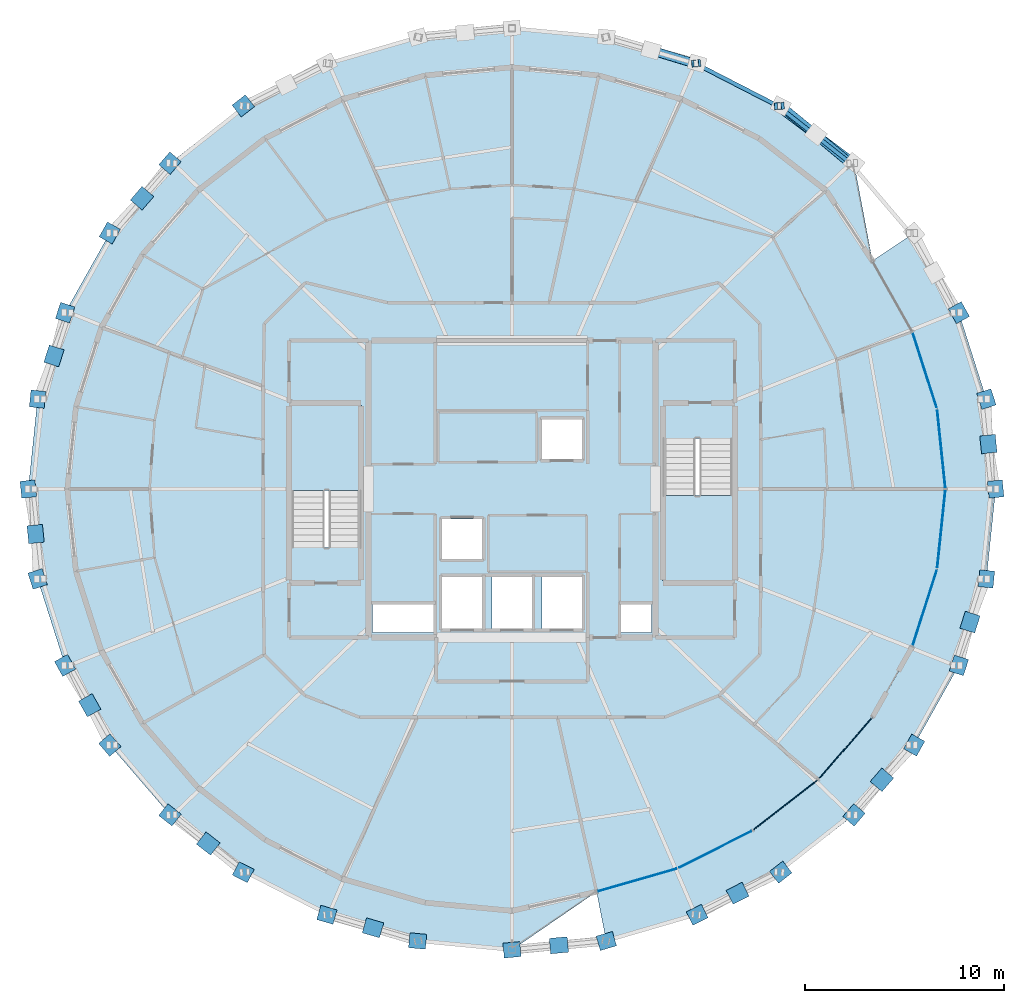
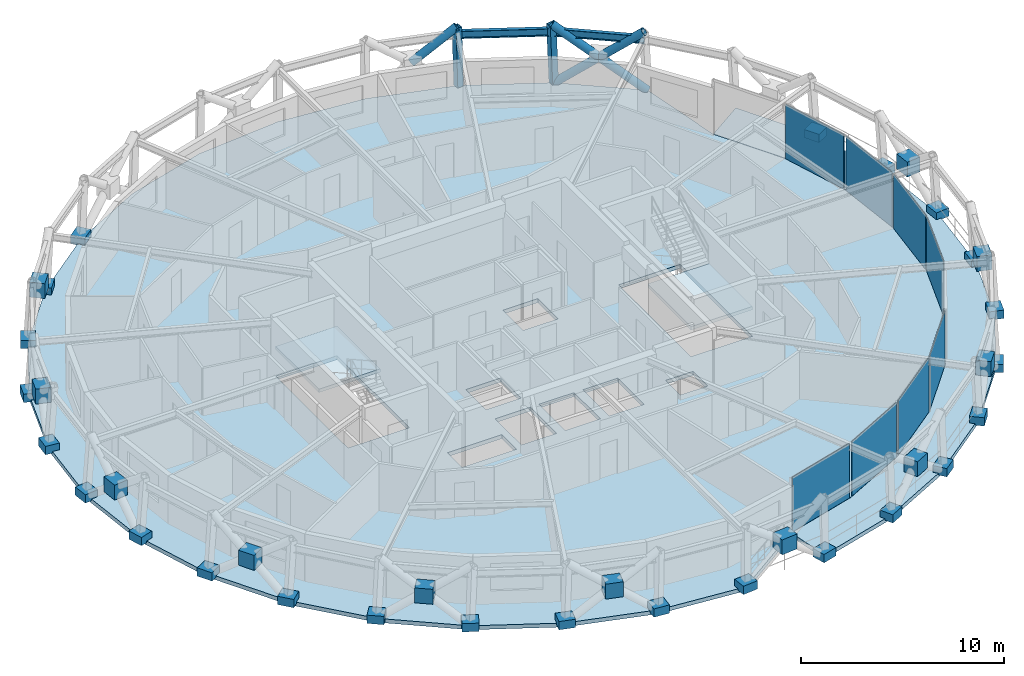
# One storey, part 11 of 18: 43 plates, 6 members, 4 slabs, 2 beams, 4 elements without a shape of their own.
"""IFC4 building model written with IfcOpenShell, lengths in metres."""

import ifcopenshell
import ifcopenshell.guid

model = None  # the IFC model being written
_history = None  # IfcOwnerHistory: only IFC2X3 demands one
_inside = {}  # id of a spatial element -> (the spatial element, [elements in it])
_under = {}  # id of a project, library or spatial element -> (it, [spatial elements below it])
_declared = {}  # id of a project -> (the project, [libraries it declares])
_typed = {}  # id of a type object -> (the type object, [elements of that type])
_made_of = {}  # id of a material, layer set ... -> (it, [elements and type objects made of it])


def new_model(schema):
    """Start an empty IFC model of exactly this schema.

    Asked for "IFC4X3", IfcOpenShell would pick the latest addendum, in which some entities
    have other attributes; the version numbers below select the first issue.
    IFC2X3 requires an IfcOwnerHistory on every rooted entity: one is made here for all.
    """
    global model, _history
    if schema == "IFC4X3":
        model = ifcopenshell.file(schema_version=(4, 3, 0, 0))
    else:
        model = ifcopenshell.file(schema=schema)
    _inside.clear()
    _under.clear()
    _declared.clear()
    _typed.clear()
    _made_of.clear()
    _history = None
    if model.schema == "IFC2X3":
        org = make("IfcOrganization", Name="unknown")
        user = make(
            "IfcPersonAndOrganization",
            ThePerson=make("IfcPerson", FamilyName="unknown"),
            TheOrganization=org,
        )
        app = make(
            "IfcApplication",
            ApplicationDeveloper=org,
            Version="unknown",
            ApplicationFullName="unknown",
            ApplicationIdentifier="unknown",
        )
        _history = make(
            "IfcOwnerHistory",
            OwningUser=user,
            OwningApplication=app,
            ChangeAction="ADDED",
            CreationDate=0,
        )
    return model


def make(cls, **values):
    """One entity of the class cls with the attributes given. An attribute that is None is left unset."""
    return model.create_entity(
        cls, **{name: value for name, value in values.items() if value is not None}
    )


def rooted(cls, **values):
    """An entity with a GlobalId (a new one), such as an element, a storey or a relation."""
    return make(cls, GlobalId=ifcopenshell.guid.new(), OwnerHistory=_history, **values)


def si_unit(unit_type, name, prefix=None):
    """IfcSIUnit, for example si_unit("LENGTHUNIT", "METRE", prefix="MILLI")."""
    return make("IfcSIUnit", UnitType=unit_type, Prefix=prefix, Name=name)


def assignment(units):
    """IfcUnitAssignment: the units of a project."""
    return None if units is None else make("IfcUnitAssignment", Units=units)


def point(xyz):
    """IfcCartesianPoint."""
    return None if xyz is None else make("IfcCartesianPoint", Coordinates=xyz)


def direction(xyz):
    """IfcDirection."""
    return None if xyz is None else make("IfcDirection", DirectionRatios=xyz)


def frame(location, z_axis=None, x_axis=None):
    """IfcAxis2Placement3D, a coordinate frame: its origin and axes. An axis left out is left unset."""
    return make(
        "IfcAxis2Placement3D",
        Location=point(location),
        Axis=direction(z_axis),
        RefDirection=direction(x_axis),
    )


def frame_2d(location, x_axis=None):
    """IfcAxis2Placement2D, a coordinate frame in the plane: its origin and x axis."""
    return make(
        "IfcAxis2Placement2D", Location=point(location), RefDirection=direction(x_axis)
    )


def origin():
    """The frame at (0, 0, 0) with its axes left unset."""
    return frame((0.0, 0.0, 0.0))


def origin_2d():
    """The frame at (0, 0) in the plane with its x axis left unset."""
    return frame_2d((0.0, 0.0))


def place(relative_to, where):
    """IfcLocalPlacement: puts the frame where relative to a parent placement (None: the world)."""
    return make(
        "IfcLocalPlacement", PlacementRelTo=relative_to, RelativePlacement=where
    )


def context(
    kind, dimensions, precision=None, world=None, true_north=None, identifier=None
):
    """IfcGeometricRepresentationContext, for example the 3D "Model" context."""
    return make(
        "IfcGeometricRepresentationContext",
        ContextIdentifier=identifier,
        ContextType=kind,
        CoordinateSpaceDimension=dimensions,
        Precision=precision,
        WorldCoordinateSystem=world,
        TrueNorth=true_north,
    )


def subcontext(parent, identifier, kind, view, scale=None):
    """IfcGeometricRepresentationSubContext, for example "Body" below "Model"."""
    return make(
        "IfcGeometricRepresentationSubContext",
        ContextIdentifier=identifier,
        ContextType=kind,
        ParentContext=parent,
        TargetScale=scale,
        TargetView=view,
    )


def project(units=None, contexts=None):
    """IfcProject with its units and contexts."""
    return rooted(
        "IfcProject",
        Name="project",
        RepresentationContexts=contexts,
        UnitsInContext=assignment(units),
    )


def spatial(cls, under=None, at=None, **own):
    """A site, building, storey or space (cls), placed at a placement, below another one or the project."""
    s = rooted(cls, ObjectPlacement=at, **own)
    if under is not None:
        _under.setdefault(under.id(), (under, []))[1].append(s)
    return s


def polyline(points):
    """IfcPolyline through the points."""
    return make("IfcPolyline", Points=[point(p) for p in points])


def profile(cls, at=None, kind="AREA", **sizes):
    """A parametric profile (cls). Its sizes go by their IFC names, for example OverallWidth=200.0."""
    return make(cls, ProfileType=kind, Position=at, **sizes)


def rectangle(**sizes):
    """IfcRectangleProfileDef."""
    return profile("IfcRectangleProfileDef", **sizes)


def hollow_rectangle(**sizes):
    """IfcRectangleHollowProfileDef."""
    return profile("IfcRectangleHollowProfileDef", **sizes)


def hollow_circle(**sizes):
    """IfcCircleHollowProfileDef."""
    return profile("IfcCircleHollowProfileDef", **sizes)


def i_section(**sizes):
    """IfcIShapeProfileDef."""
    return profile("IfcIShapeProfileDef", **sizes)


def outline(outer, holes=None, kind="AREA"):
    """IfcArbitraryClosedProfileDef: a profile drawn as a closed curve; with holes, ...WithVoids."""
    if holes is None:
        return make("IfcArbitraryClosedProfileDef", ProfileType=kind, OuterCurve=outer)
    return make(
        "IfcArbitraryProfileDefWithVoids",
        ProfileType=kind,
        OuterCurve=outer,
        InnerCurves=holes,
    )


def extrude(swept, where, along, depth):
    """IfcExtrudedAreaSolid: the profile swept, set in the frame where, extruded along a direction by depth."""
    return make(
        "IfcExtrudedAreaSolid",
        SweptArea=swept,
        Position=where,
        ExtrudedDirection=direction(along),
        Depth=depth,
    )


def shape(context_of_items, identifier, shape_type, items):
    """IfcShapeRepresentation: the items that make up one representation, for example the "Body"."""
    return make(
        "IfcShapeRepresentation",
        ContextOfItems=context_of_items,
        RepresentationIdentifier=identifier,
        RepresentationType=shape_type,
        Items=items,
    )


def material(Name=None, Category=None):
    """IfcMaterial."""
    return make("IfcMaterial", Name=Name, Category=Category)


def layer(
    of_material, thickness, ventilated=None, Name=None, Category=None, Priority=None
):
    """IfcMaterialLayer: one layer of a wall or slab, of a material (None: an air gap)."""
    return make(
        "IfcMaterialLayer",
        Material=of_material,
        LayerThickness=thickness,
        IsVentilated=ventilated,
        Name=Name,
        Category=Category,
        Priority=Priority,
    )


def layer_set(layers, Name=None):
    """IfcMaterialLayerSet."""
    return make("IfcMaterialLayerSet", MaterialLayers=layers, LayerSetName=Name)


def material_profile(
    of_material, cross_section, Name=None, Category=None, Priority=None
):
    """IfcMaterialProfile: a cross section and its material."""
    return make(
        "IfcMaterialProfile",
        Name=Name,
        Material=of_material,
        Profile=cross_section,
        Priority=Priority,
        Category=Category,
    )


def profile_set(profiles, Name=None, composite=None):
    """IfcMaterialProfileSet."""
    return make(
        "IfcMaterialProfileSet",
        Name=Name,
        MaterialProfiles=profiles,
        CompositeProfile=composite,
    )


def made_of(thing, what):
    """Note that an element or type object is made of a material, layer set ...; save() writes the relation."""
    if what is not None:
        _made_of.setdefault(what.id(), (what, []))[1].append(thing)
    return thing


def type_object(cls, material=None, **own):
    """A type object (cls), such as IfcWallType, which elements share."""
    return made_of(rooted(cls, **own), material)


def element(
    cls,
    number,
    at=None,
    inside=None,
    cuts=None,
    type_object=None,
    material=None,
    context=None,
    identifier="Body",
    shape_type=None,
    held_by="IfcProductDefinitionShape",
    body=None,
    shapes=None,
    **own,
):
    """One element of the class cls, such as IfcWall. Its Tag is "e" and its number.

    at: its placement. inside: the storey or other place that contains it. cuts: it is an
    opening in that element (IfcRelVoidsElement). A single representation is given by context,
    identifier, shape_type and body (its items); several are given by shapes. held_by: the class
    of the entity that holds the representations. save() writes the other relations.
    """
    e = rooted(cls, Tag="e%d" % number, ObjectPlacement=at, **own)
    if body is not None:
        shapes = [shape(context, identifier, shape_type, body)]
    if shapes is not None:
        e.Representation = make(held_by, Representations=shapes)
    if inside is not None:
        _inside.setdefault(inside.id(), (inside, []))[1].append(e)
    if cuts is not None:
        rooted(
            "IfcRelVoidsElement", RelatingBuildingElement=cuts, RelatedOpeningElement=e
        )
    if type_object is not None:
        _typed.setdefault(type_object.id(), (type_object, []))[1].append(e)
    return made_of(e, material)


def aggregate(whole, parts):
    """IfcRelAggregates: a whole, such as a stair, and the parts it consists of."""
    return rooted("IfcRelAggregates", RelatingObject=whole, RelatedObjects=parts)


def save(model, path):
    """Write the relations noted so far, then the file.

    IfcRelAggregates (storeys below a building ...), IfcRelContainedInSpatialStructure (elements
    in a storey), IfcRelDefinesByType, IfcRelAssociatesMaterial and IfcRelDeclares: one each for
    every whole, place, type object, material and project.
    """
    for whole, parts in _under.values():
        aggregate(whole, parts)
    for where, things in _inside.values():
        rooted(
            "IfcRelContainedInSpatialStructure",
            RelatedElements=things,
            RelatingStructure=where,
        )
    for kind, things in _typed.values():
        rooted("IfcRelDefinesByType", RelatedObjects=things, RelatingType=kind)
    for what, things in _made_of.values():
        rooted("IfcRelAssociatesMaterial", RelatedObjects=things, RelatingMaterial=what)
    for by, libraries in _declared.values():
        rooted("IfcRelDeclares", RelatingContext=by, RelatedDefinitions=libraries)
    model.write(path)


model = new_model("IFC4")

# Units and contexts
model_context = context("Model", 3, precision=1e-05, world=origin(), true_north=direction((0.0, 1.0)))
body_context = subcontext(model_context, "Body", "Model", "MODEL_VIEW")
ifc_project = project(units=[si_unit("LENGTHUNIT", "METRE"), si_unit("AREAUNIT", "SQUARE_METRE"), si_unit("VOLUMEUNIT", "CUBIC_METRE"), si_unit("PLANEANGLEUNIT", "RADIAN"), si_unit("MASSUNIT", "GRAM", prefix="KILO")], contexts=[model_context])

# Site, building, storey
site_placement = place(None, origin())
site = spatial("IfcSite", under=ifc_project, at=site_placement, CompositionType="ELEMENT")
building_placement = place(site_placement, origin())
building = spatial("IfcBuilding", under=site, at=building_placement, Name="Veldorina Hangang Commons", CompositionType="ELEMENT")
storey_placement = place(building_placement, frame((0.0, 0.0, 232.800048828125)))
storey = spatial("IfcBuildingStorey", under=building, at=storey_placement, Name="L60", CompositionType="ELEMENT", Elevation=232.800048828125)

# Beams
ifc_material_1 = material(Name="Steel SM355-TMC", Category="steel")
ifc_material_profile_1 = material_profile(ifc_material_1, i_section(OverallWidth=0.199951171875, OverallDepth=0.449951171875, WebThickness=0.009033203125, FlangeThickness=0.013916015625, FilletRadius=0.01611328125, at=origin_2d()), Name="H-450x200x9x14")
ifc_profile_set_1 = profile_set([ifc_material_profile_1], Name="Steel SM355-TMC")
beam_type = type_object("IfcBeamType", Name="BM-RB450", PredefinedType="BEAM", material=ifc_profile_set_1)
beam_1_placement = place(storey_placement, frame((48.992431640625, 40.339599609375, 3.135009765625), z_axis=(-0.785005340237, 0.619488995705, 0.0), x_axis=(-0.619488995705, -0.785005340237, 0.0)))
element("IfcBeam", 1, at=beam_1_placement, inside=storey, type_object=beam_type, Name="L60 perimeter hoop ring beam 04", PredefinedType="BEAM", context=body_context, shape_type="SweptSolid", body=[
    extrude(i_section(OverallWidth=0.199951171875, OverallDepth=0.449951171875, WebThickness=0.009033203125, FlangeThickness=0.013916015625, FilletRadius=0.01611328125, at=origin_2d()), origin(), (0.0, 0.0, 1.0), 4.638916015625),
])
beam_2_placement = place(storey_placement, frame((45.350830078125, 43.21337890625, 3.135009765625), z_axis=(-0.889406812659, 0.457116529559, 0.0), x_axis=(-0.457116529559, -0.889406812659, 0.0)))
element("IfcBeam", 2, at=beam_2_placement, inside=storey, type_object=beam_type, Name="L60 perimeter hoop ring beam 05", PredefinedType="BEAM", context=body_context, shape_type="SweptSolid", body=[
    extrude(i_section(OverallWidth=0.199951171875, OverallDepth=0.449951171875, WebThickness=0.009033203125, FlangeThickness=0.013916015625, FilletRadius=0.01611328125, at=origin_2d()), origin(), (0.0, 0.0, 1.0), 4.671142578125),
])

# Members
ifc_material_profile_2 = material_profile(ifc_material_1, hollow_circle(Radius=0.22509765625, WallThickness=0.02197265625, at=origin_2d()), Name="CHS-450x22")
ifc_profile_set_2 = profile_set([ifc_material_profile_2], Name="Steel SM355-TMC")
member_type_1 = type_object("IfcMemberType", Name="DG-CHS450", PredefinedType="BRACE", material=ifc_profile_set_2)
member_1_placement = place(storey_placement, frame((49.15869140625, 40.346923828125, 0.0), z_axis=(-0.639510682812, 0.478735510513, 0.601530047082), x_axis=(-0.599280722919, -0.800538952917, 0.0)))
element("IfcMember", 3, at=member_1_placement, inside=storey, type_object=member_type_1, Name="L60 continuous perimeter diagrid brace 04", PredefinedType="BRACE", context=body_context, shape_type="SweptSolid", body=[
    extrude(hollow_circle(Radius=0.22509765625, WallThickness=0.02197265625, at=origin_2d()), origin(), (0.0, 0.0, 1.0), 5.984375),
])
member_2_placement = place(storey_placement, frame((45.4814453125, 43.22216796875, 0.0), z_axis=(0.605591415557, -0.495514487882, 0.622675220081), x_axis=(0.633261216952, 0.773938131316, 0.0)))
element("IfcMember", 4, at=member_2_placement, inside=storey, type_object=member_type_1, Name="L60 split perimeter diagrid lower brace 05", PredefinedType="BRACE", context=body_context, shape_type="SweptSolid", body=[
    extrude(hollow_circle(Radius=0.22509765625, WallThickness=0.02197265625, at=origin_2d()), origin(), (0.0, 0.0, 1.0), 2.901123046875),
])
member_3_placement = place(storey_placement, frame((47.23828125, 41.78466796875, 1.806396484375), z_axis=(0.600392000375, -0.502007369121, 0.622509475618), x_axis=(0.641450937382, 0.767164059985, 0.0)))
element("IfcMember", 5, at=member_3_placement, inside=storey, type_object=member_type_1, Name="L60 split perimeter diagrid upper brace 05", PredefinedType="BRACE", context=body_context, shape_type="SweptSolid", body=[
    extrude(hollow_circle(Radius=0.22509765625, WallThickness=0.02197265625, at=origin_2d()), origin(), (0.0, 0.0, 1.0), 2.881103515625),
])
member_4_placement = place(storey_placement, frame((38.971923828125, 46.013671875, 1.809326171875), z_axis=(0.756685581288, -0.227999884215, 0.612734023757), x_axis=(0.2885018356, 0.95747934226, 0.0)))
element("IfcMember", 6, at=member_4_placement, inside=storey, type_object=member_type_1, Name="L60 split perimeter diagrid upper brace 07", PredefinedType="BRACE", context=body_context, shape_type="SweptSolid", body=[
    extrude(hollow_circle(Radius=0.22509765625, WallThickness=0.02197265625, at=origin_2d()), origin(), (0.0, 0.0, 1.0), 2.922119140625),
])
ifc_material_profile_3 = material_profile(ifc_material_1, hollow_rectangle(XDim=0.35009765625, YDim=0.35009765625, WallThickness=0.01611328125, at=origin_2d()), Name="SHS-350x350x16")
ifc_profile_set_3 = profile_set([ifc_material_profile_3], Name="Steel SM355-TMC")
member_type_2 = type_object("IfcMemberType", Name="STR-SHS350", PredefinedType="STRUT", material=ifc_profile_set_3)
member_5_placement = place(storey_placement, frame((45.4814453125, 43.22216796875, 0.0), z_axis=(-0.04160500992, -0.002845945304, 0.999130083495), x_axis=(0.06824443404, -0.99766863097, 0.0)))
element("IfcMember", 7, at=member_5_placement, inside=storey, type_object=member_type_2, Name="L60 perimeter ring node post 05", PredefinedType="STRUT", context=body_context, shape_type="SweptSolid", body=[
    extrude(hollow_rectangle(XDim=0.35009765625, YDim=0.35009765625, WallThickness=0.01611328125, at=origin_2d()), origin(), (0.0, 0.0, 1.0), 3.60302734375),
])
member_6_placement = place(storey_placement, frame((41.2861328125, 45.3583984375, 0.0), z_axis=(-0.028608023995, -0.003050618672, 0.999586051668), x_axis=(0.106033917323, -0.994362513562, 0.0)))
element("IfcMember", 8, at=member_6_placement, inside=storey, type_object=member_type_2, Name="L60 perimeter ring node post 06", PredefinedType="STRUT", context=body_context, shape_type="SweptSolid", body=[
    extrude(hollow_rectangle(XDim=0.35009765625, YDim=0.35009765625, WallThickness=0.01611328125, at=origin_2d()), origin(), (0.0, 0.0, 1.0), 3.601318359375),
])

# Curtain wall, plates
ifc_material_2 = material(Name="Glass Low-E Selective", Category="glass")
ifc_layer_1 = layer(ifc_material_2, 0.179931640625)
ifc_layer_set_1 = layer_set([ifc_layer_1], Name="Glass Low-E Selective")
curtain_wall_type = type_object("IfcCurtainWallType", Name="CW-SYS-Z3", PredefinedType="NOTDEFINED", material=ifc_layer_set_1)
curtain_wall_1_placement = place(storey_placement, origin())
curtain_wall_1 = element("IfcCurtainWall", 9, at=curtain_wall_1_placement, inside=storey, type_object=curtain_wall_type, Name="L60 unitised curtain wall CW-L60-R1", PredefinedType="NOTDEFINED")
ifc_material_3 = material(Name="Glass Low-E Triple IGU", Category="glass")
ifc_layer_2 = layer(ifc_material_3, 0.0400390625)
ifc_layer_set_2 = layer_set([ifc_layer_2], Name="Glass Low-E Triple IGU")
plate_type_1 = type_object("IfcPlateType", Name="CW-PNL-VIS", PredefinedType="CURTAIN_PANEL", material=ifc_layer_set_2)
plate_1_placement = place(storey_placement, frame((38.281982421875, 4.383544921875, 0.014892578125), z_axis=(0.0, 0.0, 1.0), x_axis=(0.961112421086, 0.276157408076, 0.0)))
plate_1 = element("IfcPlate", 10, at=plate_1_placement, type_object=plate_type_1, Name="CW-L60-R1 facet 1 glazed vision panel", PredefinedType="CURTAIN_PANEL", context=body_context, shape_type="SweptSolid", body=[
    extrude(rectangle(XDim=4.064453125, YDim=0.0400390625, at=origin_2d()), origin(), (0.0, 0.0, 1.0), 3.2900390625),
])
plate_2_placement = place(storey_placement, frame((42.20166015625, 5.92138671875, 0.014892578125), z_axis=(0.0, 0.0, 1.0), x_axis=(0.892168363859, 0.451703011424, 0.0)))
plate_2 = element("IfcPlate", 11, at=plate_2_placement, type_object=plate_type_1, Name="CW-L60-R1 facet 2 glazed vision panel", PredefinedType="CURTAIN_PANEL", context=body_context, shape_type="SweptSolid", body=[
    extrude(rectangle(XDim=4.033935546875, YDim=0.0400390625, at=origin_2d()), origin(), (0.0, 0.0, 1.0), 3.2900390625),
])
plate_3_placement = place(storey_placement, frame((45.72900390625, 8.154052734375, 0.014892578125), z_axis=(0.0, 0.0, 1.0), x_axis=(0.789502032674, 0.613747945335, 0.0)))
plate_3 = element("IfcPlate", 12, at=plate_3_placement, type_object=plate_type_1, Name="CW-L60-R1 facet 3 glazed vision panel", PredefinedType="CURTAIN_PANEL", context=body_context, shape_type="SweptSolid", body=[
    extrude(rectangle(XDim=3.993896484375, YDim=0.0400390625, at=origin_2d()), origin(), (0.0, 0.0, 1.0), 3.2900390625),
])
plate_4_placement = place(storey_placement, frame((48.72900390625, 10.99560546875, 0.014892578125), z_axis=(0.0, 0.0, 1.0), x_axis=(0.654819962917, 0.755784900726, 0.0)))
plate_4 = element("IfcPlate", 13, at=plate_4_placement, type_object=plate_type_1, Name="CW-L60-R1 facet 4 glazed vision panel", PredefinedType="CURTAIN_PANEL", context=body_context, shape_type="SweptSolid", body=[
    extrude(rectangle(XDim=3.949951171875, YDim=0.0400390625, at=origin_2d()), origin(), (0.0, 0.0, 1.0), 3.2900390625),
])
aggregate(curtain_wall_1, [plate_1, plate_2, plate_3, plate_4])

curtain_wall_2_placement = place(storey_placement, origin())
curtain_wall_2 = element("IfcCurtainWall", 14, at=curtain_wall_2_placement, inside=storey, type_object=curtain_wall_type, Name="L60 unitised curtain wall CW-L60-R2", PredefinedType="NOTDEFINED")
plate_5_placement = place(storey_placement, frame((52.70947265625, 18.049560546875, 0.014892578125), z_axis=(0.0, 0.0, 1.0), x_axis=(0.304997275596, 0.952353223273, 0.0)))
plate_5 = element("IfcPlate", 15, at=plate_5_placement, type_object=plate_type_1, Name="CW-L60-R2 facet 1 glazed vision panel", PredefinedType="CURTAIN_PANEL", context=body_context, shape_type="SweptSolid", body=[
    extrude(rectangle(XDim=3.87744140625, YDim=0.0400390625, at=origin_2d()), origin(), (0.0, 0.0, 1.0), 3.2900390625),
])
plate_6_placement = place(storey_placement, frame((53.537109375, 21.99072265625, 0.014892578125), z_axis=(0.0, 0.0, 1.0), x_axis=(0.103417506668, 0.994638034319, 0.0)))
plate_6 = element("IfcPlate", 16, at=plate_6_placement, type_object=plate_type_1, Name="CW-L60-R2 facet 2 glazed vision panel", PredefinedType="CURTAIN_PANEL", context=body_context, shape_type="SweptSolid", body=[
    extrude(rectangle(XDim=3.860107421875, YDim=0.0400390625, at=origin_2d()), origin(), (0.0, 0.0, 1.0), 3.2900390625),
])
plate_7_placement = place(storey_placement, frame((53.537109375, 26.00927734375, 0.014892578125), z_axis=(0.0, 0.0, 1.0), x_axis=(-0.103417506668, 0.994638034319, 0.0)))
plate_7 = element("IfcPlate", 17, at=plate_7_placement, type_object=plate_type_1, Name="CW-L60-R2 facet 3 glazed vision panel", PredefinedType="CURTAIN_PANEL", context=body_context, shape_type="SweptSolid", body=[
    extrude(rectangle(XDim=3.860107421875, YDim=0.0400390625, at=origin_2d()), origin(), (0.0, 0.0, 1.0), 3.2900390625),
])
plate_8_placement = place(storey_placement, frame((52.70947265625, 29.950439453125, 0.014892578125), z_axis=(0.0, 0.0, 1.0), x_axis=(-0.304997275596, 0.952353223273, 0.0)))
plate_8 = element("IfcPlate", 18, at=plate_8_placement, type_object=plate_type_1, Name="CW-L60-R2 facet 4 glazed vision panel", PredefinedType="CURTAIN_PANEL", context=body_context, shape_type="SweptSolid", body=[
    extrude(rectangle(XDim=3.87744140625, YDim=0.0400390625, at=origin_2d()), origin(), (0.0, 0.0, 1.0), 3.2900390625),
])
aggregate(curtain_wall_2, [plate_5, plate_6, plate_7, plate_8])

# Plates
ifc_material_4 = material(Name="Steel SM460-TMC", Category="steel")
ifc_layer_3 = layer(ifc_material_4, 0.035888671875)
ifc_layer_set_3 = layer_set([ifc_layer_3], Name="Steel SM460-TMC")
plate_type_2 = type_object("IfcPlateType", Name="PL-STAR-36", PredefinedType="USERDEFINED", material=ifc_layer_set_3)
plate_9_placement = place(storey_placement, frame((56.265869140625, 24.0, -0.090087890625), z_axis=(0.0, 0.0, 1.0), x_axis=(-0.102844619164, 0.994697433549, 0.0)))
element("IfcPlate", 19, at=plate_9_placement, inside=storey, type_object=plate_type_2, Name="L60 diagrid star-node gusset plate 00", ObjectType="GUSSET PLATE", PredefinedType="USERDEFINED", context=body_context, shape_type="SweptSolid", body=[
    extrude(rectangle(XDim=0.85009765625, YDim=0.75, at=origin_2d()), origin(), (0.0, 0.0, 1.0), 0.5),
])
plate_10_placement = place(storey_placement, frame((55.900390625, 26.254638671875, 1.3505859375), z_axis=(0.0, 0.0, 1.0), x_axis=(-0.102844619164, 0.994697433549, 0.0)))
element("IfcPlate", 20, at=plate_10_placement, inside=storey, type_object=plate_type_2, Name="L60 diagrid X-crossing star-node gusset plate 00", ObjectType="GUSSET PLATE", PredefinedType="USERDEFINED", context=body_context, shape_type="SweptSolid", body=[
    extrude(rectangle(XDim=0.89990234375, YDim=0.780029296875, at=origin_2d()), origin(), (0.0, 0.0, 1.0), 0.89990234375),
])
for number, where, z_axis, x_axis, name in (
    (21, (55.799560546875, 28.510009765625, -0.090087890625), (0.0, 0.0, 1.0), (-0.303384534442, 0.952868209283, 0.0), "L60 diagrid star-node gusset plate 01"),
    (22, (54.418701171875, 32.846923828125, -0.090087890625), (0.0, 0.0, 1.0), (-0.489306347485, 0.872111975787, 0.0), "L60 diagrid star-node gusset plate 02"),
    (23, (18.5185546875, 43.22216796875, -0.090087890625), (0.0, 0.0, 1.0), (-0.787785048966, -0.615950254992, 0.0), "L60 diagrid star-node gusset plate 11"),
    (24, (14.84130859375, 40.346923828125, -0.090087890625), (0.0, 0.0, 1.0), (-0.652667193568, -0.757644728378, 0.0), "L60 diagrid star-node gusset plate 12"),
):
    element("IfcPlate", number, at=place(storey_placement, frame(where, z_axis=z_axis, x_axis=x_axis)), inside=storey, type_object=plate_type_2, Name=name, ObjectType="GUSSET PLATE", PredefinedType="USERDEFINED", context=body_context, shape_type="SweptSolid", body=[
        extrude(rectangle(XDim=0.85009765625, YDim=0.75, at=origin_2d()), origin(), (0.0, 0.0, 1.0), 0.5),
    ])
plate_11_placement = place(storey_placement, frame((13.441162109375, 38.587646484375, 1.3544921875), z_axis=(0.0, 0.0, 1.0), x_axis=(-0.652667193568, -0.757644728378, 0.0)))
element("IfcPlate", 25, at=plate_11_placement, inside=storey, type_object=plate_type_2, Name="L60 diagrid X-crossing star-node gusset plate 12", ObjectType="GUSSET PLATE", PredefinedType="USERDEFINED", context=body_context, shape_type="SweptSolid", body=[
    extrude(rectangle(XDim=0.89990234375, YDim=0.780029296875, at=origin_2d()), origin(), (0.0, 0.0, 1.0), 0.89990234375),
])
for number, where, z_axis, x_axis, name in (
    (26, (11.823486328125, 36.84375, -0.090087890625), (0.0, 0.0, 1.0), (-0.489306347485, -0.872111975787, 0.0), "L60 diagrid star-node gusset plate 13"),
    (27, (9.581298828125, 32.846923828125, -0.090087890625), (0.0, 0.0, 1.0), (-0.303384534442, -0.952868209283, 0.0), "L60 diagrid star-node gusset plate 14"),
):
    element("IfcPlate", number, at=place(storey_placement, frame(where, z_axis=z_axis, x_axis=x_axis)), inside=storey, type_object=plate_type_2, Name=name, ObjectType="GUSSET PLATE", PredefinedType="USERDEFINED", context=body_context, shape_type="SweptSolid", body=[
        extrude(rectangle(XDim=0.85009765625, YDim=0.75, at=origin_2d()), origin(), (0.0, 0.0, 1.0), 0.5),
    ])
plate_12_placement = place(storey_placement, frame((9.022705078125, 30.67578125, 1.351318359375), z_axis=(0.0, 0.0, 1.0), x_axis=(-0.303384534442, -0.952868209283, 0.0)))
element("IfcPlate", 28, at=plate_12_placement, inside=storey, type_object=plate_type_2, Name="L60 diagrid X-crossing star-node gusset plate 14", ObjectType="GUSSET PLATE", PredefinedType="USERDEFINED", context=body_context, shape_type="SweptSolid", body=[
    extrude(rectangle(XDim=0.89990234375, YDim=0.780029296875, at=origin_2d()), origin(), (0.0, 0.0, 1.0), 0.89990234375),
])
for number, where, z_axis, x_axis, name in (
    (29, (8.200439453125, 28.510009765625, -0.090087890625), (0.0, 0.0, 1.0), (-0.102844619164, -0.994697433549, 0.0), "L60 diagrid star-node gusset plate 15"),
    (30, (7.734130859375, 24.0, -0.090087890625), (0.0, 0.0, 1.0), (0.102844619164, -0.994697433549, 0.0), "L60 diagrid star-node gusset plate 16"),
):
    element("IfcPlate", number, at=place(storey_placement, frame(where, z_axis=z_axis, x_axis=x_axis)), inside=storey, type_object=plate_type_2, Name=name, ObjectType="GUSSET PLATE", PredefinedType="USERDEFINED", context=body_context, shape_type="SweptSolid", body=[
        extrude(rectangle(XDim=0.85009765625, YDim=0.75, at=origin_2d()), origin(), (0.0, 0.0, 1.0), 0.5),
    ])
plate_13_placement = place(storey_placement, frame((8.099609375, 21.745361328125, 1.3505859375), z_axis=(0.0, 0.0, 1.0), x_axis=(0.102844619164, -0.994697433549, 0.0)))
element("IfcPlate", 31, at=plate_13_placement, inside=storey, type_object=plate_type_2, Name="L60 diagrid X-crossing star-node gusset plate 16", ObjectType="GUSSET PLATE", PredefinedType="USERDEFINED", context=body_context, shape_type="SweptSolid", body=[
    extrude(rectangle(XDim=0.89990234375, YDim=0.780029296875, at=origin_2d()), origin(), (0.0, 0.0, 1.0), 0.89990234375),
])
for number, where, z_axis, x_axis, name in (
    (32, (8.200439453125, 19.489990234375, -0.090087890625), (0.0, 0.0, 1.0), (0.303384534442, -0.952868209283, 0.0), "L60 diagrid star-node gusset plate 17"),
    (33, (9.581298828125, 15.153076171875, -0.090087890625), (0.0, 0.0, 1.0), (0.489306347485, -0.872111975787, 0.0), "L60 diagrid star-node gusset plate 18"),
):
    element("IfcPlate", number, at=place(storey_placement, frame(where, z_axis=z_axis, x_axis=x_axis)), inside=storey, type_object=plate_type_2, Name=name, ObjectType="GUSSET PLATE", PredefinedType="USERDEFINED", context=body_context, shape_type="SweptSolid", body=[
        extrude(rectangle(XDim=0.85009765625, YDim=0.75, at=origin_2d()), origin(), (0.0, 0.0, 1.0), 0.5),
    ])
plate_14_placement = place(storey_placement, frame((10.81640625, 13.15478515625, 1.352783203125), z_axis=(0.0, 0.0, 1.0), x_axis=(0.489306347485, -0.872111975787, 0.0)))
element("IfcPlate", 34, at=plate_14_placement, inside=storey, type_object=plate_type_2, Name="L60 diagrid X-crossing star-node gusset plate 18", ObjectType="GUSSET PLATE", PredefinedType="USERDEFINED", context=body_context, shape_type="SweptSolid", body=[
    extrude(rectangle(XDim=0.89990234375, YDim=0.780029296875, at=origin_2d()), origin(), (0.0, 0.0, 1.0), 0.89990234375),
])
for number, where, z_axis, x_axis, name in (
    (35, (11.823486328125, 11.15625, -0.090087890625), (0.0, 0.0, 1.0), (0.652667193568, -0.757644728378, 0.0), "L60 diagrid star-node gusset plate 19"),
    (36, (14.84130859375, 7.653076171875, -0.090087890625), (0.0, 0.0, 1.0), (0.787785048966, -0.615950254992, 0.0), "L60 diagrid star-node gusset plate 20"),
):
    element("IfcPlate", number, at=place(storey_placement, frame(where, z_axis=z_axis, x_axis=x_axis)), inside=storey, type_object=plate_type_2, Name=name, ObjectType="GUSSET PLATE", PredefinedType="USERDEFINED", context=body_context, shape_type="SweptSolid", body=[
        extrude(rectangle(XDim=0.85009765625, YDim=0.75, at=origin_2d()), origin(), (0.0, 0.0, 1.0), 0.5),
    ])
plate_15_placement = place(storey_placement, frame((16.76171875, 6.21533203125, 1.3564453125), z_axis=(0.0, 0.0, 1.0), x_axis=(0.787785048966, -0.615950254992, 0.0)))
element("IfcPlate", 37, at=plate_15_placement, inside=storey, type_object=plate_type_2, Name="L60 diagrid X-crossing star-node gusset plate 20", ObjectType="GUSSET PLATE", PredefinedType="USERDEFINED", context=body_context, shape_type="SweptSolid", body=[
    extrude(rectangle(XDim=0.89990234375, YDim=0.780029296875, at=origin_2d()), origin(), (0.0, 0.0, 1.0), 0.89990234375),
])
for number, where, z_axis, x_axis, name in (
    (38, (18.5185546875, 4.77783203125, -0.090087890625), (0.0, 0.0, 1.0), (0.891117428394, -0.453772772224, 0.0), "L60 diagrid star-node gusset plate 21"),
    (39, (22.7138671875, 2.6416015625, -0.090087890625), (0.0, 0.0, 1.0), (0.960687140311, -0.277633244482, 0.0), "L60 diagrid star-node gusset plate 22"),
):
    element("IfcPlate", number, at=place(storey_placement, frame(where, z_axis=z_axis, x_axis=x_axis)), inside=storey, type_object=plate_type_2, Name=name, ObjectType="GUSSET PLATE", PredefinedType="USERDEFINED", context=body_context, shape_type="SweptSolid", body=[
        extrude(rectangle(XDim=0.85009765625, YDim=0.75, at=origin_2d()), origin(), (0.0, 0.0, 1.0), 0.5),
    ])
plate_16_placement = place(storey_placement, frame((25.028076171875, 1.986328125, 1.359375), z_axis=(0.0, 0.0, 1.0), x_axis=(0.960687140311, -0.277633244482, 0.0)))
element("IfcPlate", 40, at=plate_16_placement, inside=storey, type_object=plate_type_2, Name="L60 diagrid X-crossing star-node gusset plate 22", ObjectType="GUSSET PLATE", PredefinedType="USERDEFINED", context=body_context, shape_type="SweptSolid", body=[
    extrude(rectangle(XDim=0.89990234375, YDim=0.780029296875, at=origin_2d()), origin(), (0.0, 0.0, 1.0), 0.89990234375),
])
for number, where, z_axis, x_axis, name in (
    (41, (27.26611328125, 1.325927734375, -0.090087890625), (0.0, 0.0, 1.0), (0.995627421982, -0.093413257074, 0.0), "L60 diagrid star-node gusset plate 23"),
    (42, (32.0, 0.8818359375, -0.090087890625), (0.0, 0.0, 1.0), (0.995627421982, 0.093413257074, 0.0), "L60 diagrid star-node gusset plate 24"),
):
    element("IfcPlate", number, at=place(storey_placement, frame(where, z_axis=z_axis, x_axis=x_axis)), inside=storey, type_object=plate_type_2, Name=name, ObjectType="GUSSET PLATE", PredefinedType="USERDEFINED", context=body_context, shape_type="SweptSolid", body=[
        extrude(rectangle(XDim=0.85009765625, YDim=0.75, at=origin_2d()), origin(), (0.0, 0.0, 1.0), 0.5),
    ])
plate_17_placement = place(storey_placement, frame((34.353759765625, 1.111083984375, 1.360107421875), z_axis=(0.0, 0.0, 1.0), x_axis=(0.995627421982, 0.093413257074, 0.0)))
element("IfcPlate", 43, at=plate_17_placement, inside=storey, type_object=plate_type_2, Name="L60 diagrid X-crossing star-node gusset plate 24", ObjectType="GUSSET PLATE", PredefinedType="USERDEFINED", context=body_context, shape_type="SweptSolid", body=[
    extrude(rectangle(XDim=0.89990234375, YDim=0.780029296875, at=origin_2d()), origin(), (0.0, 0.0, 1.0), 0.89990234375),
])
for number, where, z_axis, x_axis, name in (
    (44, (36.73388671875, 1.325927734375, -0.090087890625), (0.0, 0.0, 1.0), (0.960687140311, 0.277633244482, 0.0), "L60 diagrid star-node gusset plate 25"),
    (45, (41.2861328125, 2.6416015625, -0.090087890625), (0.0, 0.0, 1.0), (0.891117428394, 0.453772772224, 0.0), "L60 diagrid star-node gusset plate 26"),
):
    element("IfcPlate", number, at=place(storey_placement, frame(where, z_axis=z_axis, x_axis=x_axis)), inside=storey, type_object=plate_type_2, Name=name, ObjectType="GUSSET PLATE", PredefinedType="USERDEFINED", context=body_context, shape_type="SweptSolid", body=[
        extrude(rectangle(XDim=0.85009765625, YDim=0.75, at=origin_2d()), origin(), (0.0, 0.0, 1.0), 0.5),
    ])
plate_18_placement = place(storey_placement, frame((43.31787109375, 3.719482421875, 1.358154296875), z_axis=(0.0, 0.0, 1.0), x_axis=(0.891117428394, 0.453772772224, 0.0)))
element("IfcPlate", 46, at=plate_18_placement, inside=storey, type_object=plate_type_2, Name="L60 diagrid X-crossing star-node gusset plate 26", ObjectType="GUSSET PLATE", PredefinedType="USERDEFINED", context=body_context, shape_type="SweptSolid", body=[
    extrude(rectangle(XDim=0.89990234375, YDim=0.780029296875, at=origin_2d()), origin(), (0.0, 0.0, 1.0), 0.89990234375),
])
for number, where, z_axis, x_axis, name in (
    (47, (45.4814453125, 4.77783203125, -0.090087890625), (0.0, 0.0, 1.0), (0.787785048966, 0.615950254992, 0.0), "L60 diagrid star-node gusset plate 27"),
    (48, (49.15869140625, 7.653076171875, -0.090087890625), (0.0, 0.0, 1.0), (0.652667193568, 0.757644728378, 0.0), "L60 diagrid star-node gusset plate 28"),
):
    element("IfcPlate", number, at=place(storey_placement, frame(where, z_axis=z_axis, x_axis=x_axis)), inside=storey, type_object=plate_type_2, Name=name, ObjectType="GUSSET PLATE", PredefinedType="USERDEFINED", context=body_context, shape_type="SweptSolid", body=[
        extrude(rectangle(XDim=0.85009765625, YDim=0.75, at=origin_2d()), origin(), (0.0, 0.0, 1.0), 0.5),
    ])
plate_19_placement = place(storey_placement, frame((50.558837890625, 9.412353515625, 1.3544921875), z_axis=(0.0, 0.0, 1.0), x_axis=(0.652667193568, 0.757644728378, 0.0)))
element("IfcPlate", 49, at=plate_19_placement, inside=storey, type_object=plate_type_2, Name="L60 diagrid X-crossing star-node gusset plate 28", ObjectType="GUSSET PLATE", PredefinedType="USERDEFINED", context=body_context, shape_type="SweptSolid", body=[
    extrude(rectangle(XDim=0.89990234375, YDim=0.780029296875, at=origin_2d()), origin(), (0.0, 0.0, 1.0), 0.89990234375),
])
for number, where, z_axis, x_axis, name in (
    (50, (52.176513671875, 11.15625, -0.090087890625), (0.0, 0.0, 1.0), (0.489306347485, 0.872111975787, 0.0), "L60 diagrid star-node gusset plate 29"),
    (51, (54.418701171875, 15.153076171875, -0.090087890625), (0.0, 0.0, 1.0), (0.303384534442, 0.952868209283, 0.0), "L60 diagrid star-node gusset plate 30"),
):
    element("IfcPlate", number, at=place(storey_placement, frame(where, z_axis=z_axis, x_axis=x_axis)), inside=storey, type_object=plate_type_2, Name=name, ObjectType="GUSSET PLATE", PredefinedType="USERDEFINED", context=body_context, shape_type="SweptSolid", body=[
        extrude(rectangle(XDim=0.85009765625, YDim=0.75, at=origin_2d()), origin(), (0.0, 0.0, 1.0), 0.5),
    ])
plate_20_placement = place(storey_placement, frame((54.977294921875, 17.32421875, 1.351318359375), z_axis=(0.0, 0.0, 1.0), x_axis=(0.303384534442, 0.952868209283, 0.0)))
element("IfcPlate", 52, at=plate_20_placement, inside=storey, type_object=plate_type_2, Name="L60 diagrid X-crossing star-node gusset plate 30", ObjectType="GUSSET PLATE", PredefinedType="USERDEFINED", context=body_context, shape_type="SweptSolid", body=[
    extrude(rectangle(XDim=0.89990234375, YDim=0.780029296875, at=origin_2d()), origin(), (0.0, 0.0, 1.0), 0.89990234375),
])
plate_21_placement = place(storey_placement, frame((55.799560546875, 19.489990234375, -0.090087890625), z_axis=(0.0, 0.0, 1.0), x_axis=(0.102844619164, 0.994697433549, 0.0)))
element("IfcPlate", 53, at=plate_21_placement, inside=storey, type_object=plate_type_2, Name="L60 diagrid star-node gusset plate 31", ObjectType="GUSSET PLATE", PredefinedType="USERDEFINED", context=body_context, shape_type="SweptSolid", body=[
    extrude(rectangle(XDim=0.85009765625, YDim=0.75, at=origin_2d()), origin(), (0.0, 0.0, 1.0), 0.5),
])

# Slabs
ifc_material_5 = material(Name="Concrete C40/50", Category="concrete")
ifc_layer_4 = layer(ifc_material_5, 0.239990234375)
ifc_layer_set_4 = layer_set([ifc_layer_4], Name="Concrete C40/50")
slab_type_1 = type_object("IfcSlabType", Name="SL-FLR-240", PredefinedType="FLOOR", material=ifc_layer_set_4)
slab_1_placement = place(storey_placement, frame((0.0, 0.0, -0.239990234375)))
element("IfcSlab", 54, at=slab_1_placement, inside=storey, type_object=slab_type_1, Name="L60 tower structural floor slab", PredefinedType="FLOOR", context=body_context, shape_type="SweptSolid", body=[
    extrude(outline(polyline([(53.745849609375, 24.0), (53.328125, 28.0185546875), (52.090576171875, 31.882568359375), (50.0810546875, 35.443603515625), (49.15869140625, 40.346923828125), (45.4814453125, 43.22216796875), (41.2861328125, 45.3583984375), (36.73388671875, 46.674072265625), (32.0, 47.1181640625), (27.26611328125, 46.674072265625), (22.7138671875, 45.3583984375), (18.5185546875, 43.22216796875), (14.84130859375, 40.346923828125), (11.823486328125, 36.84375), (9.581298828125, 32.846923828125), (8.200439453125, 28.510009765625), (7.734130859375, 24.0), (8.200439453125, 19.489990234375), (9.581298828125, 15.153076171875), (11.823486328125, 11.15625), (14.84130859375, 7.653076171875), (18.5185546875, 4.77783203125), (22.7138671875, 2.6416015625), (27.26611328125, 1.325927734375), (32.0, 0.8818359375), (36.242431640625, 3.797607421875), (40.32177734375, 4.9697265625), (44.081298828125, 6.873291015625), (47.376708984375, 9.434814453125), (50.0810546875, 12.556396484375), (52.090576171875, 16.117431640625), (53.328125, 19.9814453125), (53.745849609375, 24.0)]), holes=[polyline([(20.949951171875, 21.05810546875), (20.949951171875, 28.199951171875), (24.449951171875, 28.199951171875), (24.449951171875, 21.05810546875), (20.949951171875, 21.05810546875)]), polyline([(43.050048828125, 26.5419921875), (43.050048828125, 19.39990234375), (39.550048828125, 19.39990234375), (39.550048828125, 26.5419921875), (43.050048828125, 26.5419921875)]), polyline([(33.5, 27.5), (35.5, 27.5), (35.5, 25.5), (33.5, 25.5), (33.5, 27.5)]), polyline([(28.5, 22.5), (30.5, 22.5), (30.5, 20.5), (28.5, 20.5), (28.5, 22.5)]), polyline([(28.5, 19.60009765625), (30.5, 19.60009765625), (30.5, 17.0), (28.5, 17.0), (28.5, 19.60009765625)]), polyline([(31.0, 19.60009765625), (33.0, 19.60009765625), (33.0, 17.0), (31.0, 17.0), (31.0, 19.60009765625)]), polyline([(33.5, 19.60009765625), (35.5, 19.60009765625), (35.5, 17.0), (33.5, 17.0), (33.5, 19.60009765625)]), polyline([(25.0, 18.25), (28.10009765625, 18.25), (28.10009765625, 16.800048828125), (25.0, 16.800048828125), (25.0, 18.25)]), polyline([(37.449951171875, 18.25), (39.0, 18.25), (39.0, 16.800048828125), (37.449951171875, 16.800048828125), (37.449951171875, 18.25)])]), origin(), (0.0, 0.0, 1.0), 0.239990234375),
])
slab_2_placement = place(storey_placement, frame((0.0, 0.0, -0.239990234375)))
element("IfcSlab", 55, at=slab_2_placement, inside=storey, type_object=slab_type_1, Name="L60 sky-garden loggia outdoor slab", PredefinedType="FLOOR", context=body_context, shape_type="SweptSolid", body=[
    extrude(outline(polyline([(52.176513671875, 36.84375), (54.418701171875, 32.846923828125), (55.799560546875, 28.510009765625), (56.265869140625, 24.0), (55.799560546875, 19.489990234375), (54.418701171875, 15.153076171875), (52.176513671875, 11.15625), (49.15869140625, 7.653076171875), (45.4814453125, 4.77783203125), (41.2861328125, 2.6416015625), (36.73388671875, 1.325927734375), (36.24560546875, 3.781494140625), (36.248779296875, 3.783935546875), (40.325927734375, 4.955322265625), (40.327392578125, 4.955810546875), (40.32861328125, 4.956298828125), (44.088134765625, 6.85986328125), (44.08935546875, 6.860595703125), (44.090576171875, 6.861328125), (47.385986328125, 9.423095703125), (47.386962890625, 9.424072265625), (47.387939453125, 9.425048828125), (50.09228515625, 12.54638671875), (50.093505859375, 12.547607421875), (50.09423828125, 12.548828125), (52.103759765625, 16.110107421875), (52.104248046875, 16.111328125), (52.10498046875, 16.11279296875), (53.34228515625, 19.976806640625), (53.3427734375, 19.978515625), (53.343017578125, 19.97998046875), (53.7607421875, 23.998291015625), (53.760986328125, 24.0), (53.7607421875, 24.001708984375), (53.343017578125, 28.02001953125), (53.3427734375, 28.021484375), (53.34228515625, 28.023193359375), (52.10498046875, 31.88720703125), (52.104248046875, 31.888671875), (52.103759765625, 31.889892578125), (50.095458984375, 35.448974609375), (50.0947265625, 35.452880859375), (52.176513671875, 36.84375)])), origin(), (0.0, 0.0, 1.0), 0.239990234375),
])

# Stair, slab
stair_type = type_object("IfcStairType", Name="STR-DOG-1650-20R", PredefinedType="HALF_TURN_STAIR", material=ifc_material_5)
stair_1_placement = place(storey_placement, origin())
stair_1 = element("IfcStair", 56, at=stair_1_placement, inside=storey, type_object=stair_type, Name="L60 Exit stair ST-1", PredefinedType="HALF_TURN_STAIR")
ifc_layer_5 = layer(ifc_material_5, 0.199951171875)
ifc_layer_set_5 = layer_set([ifc_layer_5], Name="Concrete C40/50")
slab_type_2 = type_object("IfcSlabType", Name="SL-LND-200", PredefinedType="LANDING", material=ifc_layer_set_5)
slab_3_placement = place(storey_placement, frame((0.0, 0.0, 1.599853515625)))
slab_3 = element("IfcSlab", 57, at=slab_3_placement, type_object=slab_type_2, Name="ST-1 landing 1", PredefinedType="LANDING", context=body_context, shape_type="SweptSolid", body=[
    extrude(outline(polyline([(24.449951171875, 23.929931640625), (24.449951171875, 28.199951171875), (20.949951171875, 28.199951171875), (20.949951171875, 23.929931640625), (24.449951171875, 23.929931640625)])), origin(), (0.0, 0.0, 1.0), 0.2001953125),
])
aggregate(stair_1, [slab_3])

stair_2_placement = place(storey_placement, origin())
stair_2 = element("IfcStair", 58, at=stair_2_placement, inside=storey, type_object=stair_type, Name="L60 Exit stair ST-2", PredefinedType="HALF_TURN_STAIR")
slab_4_placement = place(storey_placement, frame((0.0, 0.0, 1.599853515625)))
slab_4 = element("IfcSlab", 59, at=slab_4_placement, type_object=slab_type_2, Name="ST-2 landing 1", PredefinedType="LANDING", context=body_context, shape_type="SweptSolid", body=[
    extrude(outline(polyline([(39.550048828125, 23.669921875), (39.550048828125, 19.39990234375), (43.050048828125, 19.39990234375), (43.050048828125, 23.669921875), (39.550048828125, 23.669921875)])), origin(), (0.0, 0.0, 1.0), 0.2001953125),
])
aggregate(stair_2, [slab_4])

save(model, "model.ifc")
